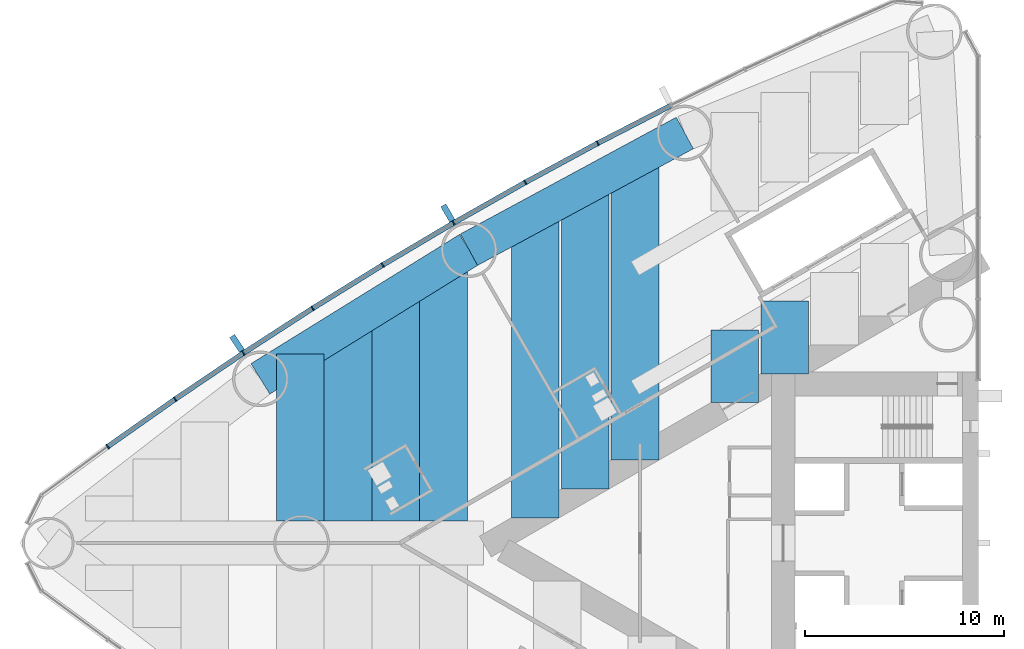
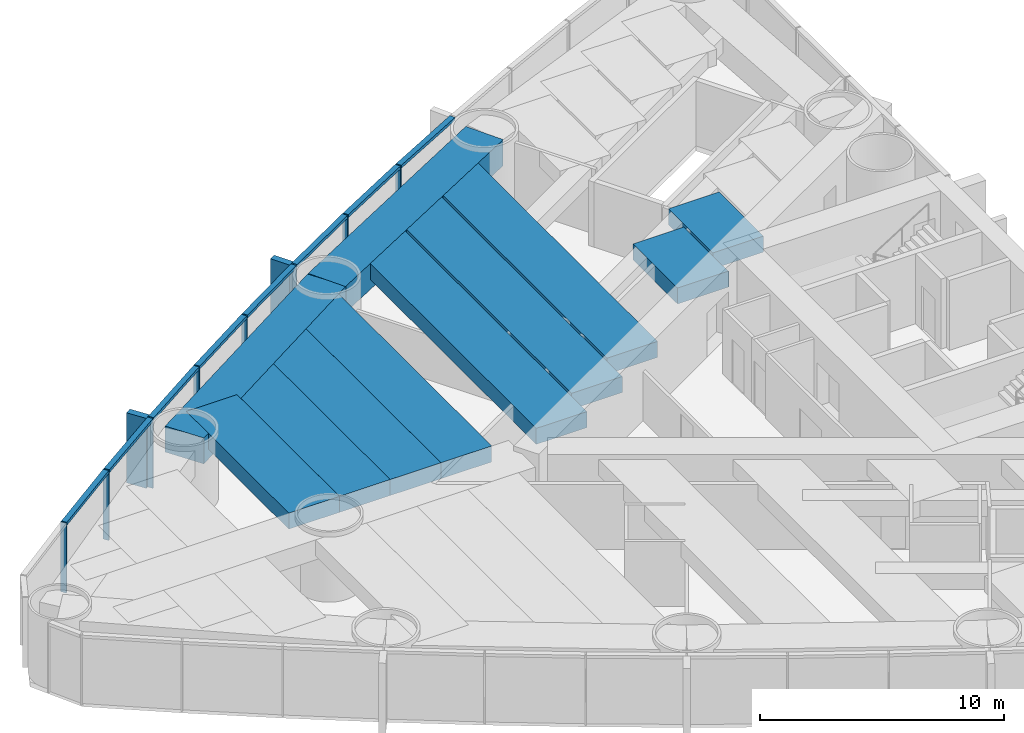
# One storey, part 4 of 18: 18 members, 11 beams, 1 element without a shape of its own.
"""IFC4 building model written with IfcOpenShell, lengths in metres."""

from ifc_helpers import new_model, si_unit, direction, frame, origin, origin_2d, place, context, subcontext, project, spatial, rectangle, extrude, material, material_profile, profile_set, type_object, element, aggregate, save


model = new_model("IFC4")

# Units and contexts
model_context = context("Model", 3, precision=1e-05, world=origin(), true_north=direction((0.0, 1.0)))
body_context = subcontext(model_context, "Body", "Model", "MODEL_VIEW")
ifc_project = project(units=[si_unit("LENGTHUNIT", "METRE"), si_unit("AREAUNIT", "SQUARE_METRE"), si_unit("VOLUMEUNIT", "CUBIC_METRE"), si_unit("PLANEANGLEUNIT", "RADIAN"), si_unit("MASSUNIT", "GRAM", prefix="KILO")], contexts=[model_context])

# Site, building, storey
site_placement = place(None, origin())
site = spatial("IfcSite", under=ifc_project, at=site_placement, CompositionType="ELEMENT")
building_placement = place(site_placement, origin())
building = spatial("IfcBuilding", under=site, at=building_placement, Name="Lancet Gate Hotel", CompositionType="ELEMENT")
storey_placement = place(building_placement, frame((0.0, 0.0, 56.5)))
storey = spatial("IfcBuildingStorey", under=building, at=storey_placement, Name="L14", CompositionType="ELEMENT", Elevation=56.5)

# Curtain wall, members
ifc_material_1 = material(Name="Aluminium curtain wall", Category="aluminium")
curtain_wall_type = type_object("IfcCurtainWallType", Name="Tower unitised curtain wall", PredefinedType="USERDEFINED", material=ifc_material_1)
curtain_wall_placement = place(storey_placement, origin())
curtain_wall = element("IfcCurtainWall", 1, at=curtain_wall_placement, inside=storey, type_object=curtain_wall_type, Name="T1 L14 curtain wall 2", ObjectType="UNITISED CURTAIN WALL", PredefinedType="USERDEFINED")
ifc_material_2 = material(Name="Aluminium mullion", Category="aluminium")
ifc_material_profile_1 = material_profile(ifc_material_2, rectangle(XDim=0.06494140625, YDim=0.25, at=origin_2d()), Name="MULLION 65x250")
ifc_profile_set_1 = profile_set([ifc_material_profile_1], Name="Aluminium mullion")
member_type_1 = type_object("IfcMemberType", Name="Aluminium mullion 65x250", PredefinedType="MULLION", material=ifc_profile_set_1)
member_1_placement = place(storey_placement, frame((-46.6220703125, 20.094970703125, 0.0), z_axis=(0.0, 0.0, 1.0), x_axis=(-0.884311132302, -0.466898084475, 0.0)))
member_1 = element("IfcMember", 2, at=member_1_placement, type_object=member_type_1, Name="T1 L14 curtain wall 2 mullion 6", PredefinedType="MULLION", context=body_context, shape_type="SweptSolid", body=[
    extrude(rectangle(XDim=0.06494140625, YDim=0.25, at=origin_2d()), origin(), (0.0, 0.0, 1.0), 3.5),
])
member_2_placement = place(storey_placement, frame((-50.26416015625, 18.1259765625, 0.0), z_axis=(0.0, 0.0, 1.0), x_axis=(-0.874991035403, -0.484139120464, 0.0)))
member_2 = element("IfcMember", 3, at=member_2_placement, type_object=member_type_1, Name="T1 L14 curtain wall 2 mullion 7", PredefinedType="MULLION", context=body_context, shape_type="SweptSolid", body=[
    extrude(rectangle(XDim=0.06494140625, YDim=0.25, at=origin_2d()), origin(), (0.0, 0.0, 1.0), 3.5),
])
member_3_placement = place(storey_placement, frame((-53.866943359375, 16.086181640625, 0.0), z_axis=(0.0, 0.0, 1.0), x_axis=(-0.86533483912, -0.501194190115, 0.0)))
member_3 = element("IfcMember", 4, at=member_3_placement, type_object=member_type_1, Name="T1 L14 curtain wall 2 mullion 8", PredefinedType="MULLION", context=body_context, shape_type="SweptSolid", body=[
    extrude(rectangle(XDim=0.06494140625, YDim=0.25, at=origin_2d()), origin(), (0.0, 0.0, 1.0), 3.5),
])
member_4_placement = place(storey_placement, frame((-57.42919921875, 13.97607421875, 0.0), z_axis=(0.0, 0.0, 1.0), x_axis=(-0.855346252548, -0.518056742309, 0.0)))
member_4 = element("IfcMember", 5, at=member_4_placement, type_object=member_type_1, Name="T1 L14 curtain wall 2 mullion 9", PredefinedType="MULLION", context=body_context, shape_type="SweptSolid", body=[
    extrude(rectangle(XDim=0.06494140625, YDim=0.25, at=origin_2d()), origin(), (0.0, 0.0, 1.0), 3.5),
])
member_5_placement = place(storey_placement, frame((-60.949462890625, 11.796630859375, 0.0), z_axis=(0.0, 0.0, 1.0), x_axis=(-0.845029112489, -0.534720299827, 0.0)))
member_5 = element("IfcMember", 6, at=member_5_placement, type_object=member_type_1, Name="T1 L14 curtain wall 2 mullion 10", PredefinedType="MULLION", context=body_context, shape_type="SweptSolid", body=[
    extrude(rectangle(XDim=0.06494140625, YDim=0.25, at=origin_2d()), origin(), (0.0, 0.0, 1.0), 3.5),
])
member_6_placement = place(storey_placement, frame((-64.42626953125, 9.548583984375, 0.0), z_axis=(0.0, 0.0, 1.0), x_axis=(-0.834387381945, -0.55117846189, 0.0)))
member_6 = element("IfcMember", 7, at=member_6_placement, type_object=member_type_1, Name="T1 L14 curtain wall 2 mullion 11", PredefinedType="MULLION", context=body_context, shape_type="SweptSolid", body=[
    extrude(rectangle(XDim=0.06494140625, YDim=0.25, at=origin_2d()), origin(), (0.0, 0.0, 1.0), 3.5),
])
member_7_placement = place(storey_placement, frame((-67.858154296875, 7.232666015625, 0.0), z_axis=(0.0, 0.0, 1.0), x_axis=(-0.823425148573, -0.56742490666, 0.0)))
member_7 = element("IfcMember", 8, at=member_7_placement, type_object=member_type_1, Name="T1 L14 curtain wall 2 mullion 12", PredefinedType="MULLION", context=body_context, shape_type="SweptSolid", body=[
    extrude(rectangle(XDim=0.06494140625, YDim=0.25, at=origin_2d()), origin(), (0.0, 0.0, 1.0), 3.5),
])
member_8_placement = place(storey_placement, frame((-71.244384765625, 4.85009765625, 0.0), z_axis=(0.0, 0.0, 1.0), x_axis=(-0.812146623168, -0.583453393578, 0.0)))
member_8 = element("IfcMember", 9, at=member_8_placement, type_object=member_type_1, Name="T1 L14 curtain wall 2 mullion 13", PredefinedType="MULLION", context=body_context, shape_type="SweptSolid", body=[
    extrude(rectangle(XDim=0.06494140625, YDim=0.25, at=origin_2d()), origin(), (0.0, 0.0, 1.0), 3.5),
])
ifc_material_3 = material(Name="Aluminium transom", Category="aluminium")
ifc_material_profile_2 = material_profile(ifc_material_3, rectangle(XDim=0.25, YDim=0.14990234375, at=origin_2d()), Name="TRANSOM 250x150")
ifc_profile_set_2 = profile_set([ifc_material_profile_2], Name="Aluminium transom")
member_type_2 = type_object("IfcMemberType", Name="Aluminium transom 250x150", PredefinedType="USERDEFINED", material=ifc_profile_set_2)
member_9_placement = place(storey_placement, frame((-42.970703125, 21.97705078125, 3.425048828125), z_axis=(-0.888859972399, -0.458178949175, 0.0), x_axis=(0.458178949175, -0.888859972399, 0.0)))
member_9 = element("IfcMember", 10, at=member_9_placement, type_object=member_type_2, Name="T1 L14 curtain wall 2 transom 5", ObjectType="TRANSOM", PredefinedType="USERDEFINED", context=body_context, shape_type="SweptSolid", body=[
    extrude(rectangle(XDim=0.25, YDim=0.14990234375, at=origin_2d()), origin(), (0.0, 0.0, 1.0), 4.0751953125),
])
member_10_placement = place(storey_placement, frame((-46.650634765625, 20.079345703125, 3.425048828125), z_axis=(-0.87971396408, -0.475503250675, 0.0), x_axis=(0.475503250675, -0.87971396408, 0.0)))
member_10 = element("IfcMember", 11, at=member_10_placement, type_object=member_type_2, Name="T1 L14 curtain wall 2 transom 6", ObjectType="TRANSOM", PredefinedType="USERDEFINED", context=body_context, shape_type="SweptSolid", body=[
    extrude(rectangle(XDim=0.25, YDim=0.14990234375, at=origin_2d()), origin(), (0.0, 0.0, 1.0), 4.0751953125),
])
member_11_placement = place(storey_placement, frame((-50.29248046875, 18.110107421875, 3.425048828125), z_axis=(-0.870197729943, -0.492702659625, 0.0), x_axis=(0.492702659625, -0.870197729943, 0.0)))
member_11 = element("IfcMember", 12, at=member_11_placement, type_object=member_type_2, Name="T1 L14 curtain wall 2 transom 7", ObjectType="TRANSOM", PredefinedType="USERDEFINED", context=body_context, shape_type="SweptSolid", body=[
    extrude(rectangle(XDim=0.25, YDim=0.14990234375, at=origin_2d()), origin(), (0.0, 0.0, 1.0), 4.0751953125),
])
member_12_placement = place(storey_placement, frame((-53.89501953125, 16.069580078125, 3.425048828125), z_axis=(-0.86039174806, -0.509633240547, 0.0), x_axis=(0.509633240547, -0.86039174806, 0.0)))
member_12 = element("IfcMember", 13, at=member_12_placement, type_object=member_type_2, Name="T1 L14 curtain wall 2 transom 8", ObjectType="TRANSOM", PredefinedType="USERDEFINED", context=body_context, shape_type="SweptSolid", body=[
    extrude(rectangle(XDim=0.25, YDim=0.14990234375, at=origin_2d()), origin(), (0.0, 0.0, 1.0), 4.0751953125),
])
member_13_placement = place(storey_placement, frame((-57.456787109375, 13.958984375, 3.425048828125), z_axis=(-0.850242165643, -0.526391736032, 0.0), x_axis=(0.526391736032, -0.850242165643, 0.0)))
member_13 = element("IfcMember", 14, at=member_13_placement, type_object=member_type_2, Name="T1 L14 curtain wall 2 transom 9", ObjectType="TRANSOM", PredefinedType="USERDEFINED", context=body_context, shape_type="SweptSolid", body=[
    extrude(rectangle(XDim=0.25, YDim=0.14990234375, at=origin_2d()), origin(), (0.0, 0.0, 1.0), 4.075439453125),
])
member_14_placement = place(storey_placement, frame((-60.976806640625, 11.779052734375, 3.425048828125), z_axis=(-0.839729242404, -0.543005340169, 0.0), x_axis=(0.543005340169, -0.839729242404, 0.0)))
member_14 = element("IfcMember", 15, at=member_14_placement, type_object=member_type_2, Name="T1 L14 curtain wall 2 transom 10", ObjectType="TRANSOM", PredefinedType="USERDEFINED", context=body_context, shape_type="SweptSolid", body=[
    extrude(rectangle(XDim=0.25, YDim=0.14990234375, at=origin_2d()), origin(), (0.0, 0.0, 1.0), 4.0751953125),
])
member_15_placement = place(storey_placement, frame((-64.453125, 9.5302734375, 3.425048828125), z_axis=(-0.828959086782, -0.559309245804, 0.0), x_axis=(0.559309245804, -0.828959086782, 0.0)))
member_15 = element("IfcMember", 16, at=member_15_placement, type_object=member_type_2, Name="T1 L14 curtain wall 2 transom 11", ObjectType="TRANSOM", PredefinedType="USERDEFINED", context=body_context, shape_type="SweptSolid", body=[
    extrude(rectangle(XDim=0.25, YDim=0.14990234375, at=origin_2d()), origin(), (0.0, 0.0, 1.0), 4.0751953125),
])
member_16_placement = place(storey_placement, frame((-67.884765625, 7.214111328125, 3.425048828125), z_axis=(-0.817833568345, -0.57545482402, 0.0), x_axis=(0.57545482402, -0.817833568345, 0.0)))
member_16 = element("IfcMember", 17, at=member_16_placement, type_object=member_type_2, Name="T1 L14 curtain wall 2 transom 12", ObjectType="TRANSOM", PredefinedType="USERDEFINED", context=body_context, shape_type="SweptSolid", body=[
    extrude(rectangle(XDim=0.25, YDim=0.14990234375, at=origin_2d()), origin(), (0.0, 0.0, 1.0), 4.075439453125),
])

# Beams
ifc_material_4 = material(Name="Concrete C50/60", Category="concrete")
ifc_material_profile_3 = material_profile(ifc_material_4, rectangle(XDim=1.800048828125, YDim=1.300048828125, at=origin_2d()), Name="RC 1800x1300")
ifc_profile_set_3 = profile_set([ifc_material_profile_3], Name="Concrete C50/60")
beam_type_1 = type_object("IfcBeamType", Name="Edge beam RC 1800x1300", PredefinedType="SPANDREL", material=ifc_profile_set_3)
for number, where, z_axis, x_axis, name in (
    (18, (-42.2451171875, 20.607421875, 2.60009765625), (-0.879692855603, -0.475542300749, 0.0), (0.475542300749, -0.879692855603, 0.0), "T1 edge beam EB1 L14"),
    (19, (-53.090087890625, 14.744873046875, 2.60009765625), (-0.850225894333, -0.526418016984, 0.0), (0.526418016984, -0.850225894333, 0.0), "T1 edge beam EB1 L14"),
):
    element("IfcBeam", number, at=place(storey_placement, frame(where, z_axis=z_axis, x_axis=x_axis)), inside=storey, type_object=beam_type_1, Name=name, PredefinedType="SPANDREL", context=body_context, shape_type="SweptSolid", body=[
        extrude(rectangle(XDim=1.800048828125, YDim=1.300048828125, at=origin_2d()), origin(), (0.0, 0.0, 1.0), 12.328125),
    ])

# Member
ifc_material_5 = material(Name="Precast concrete C50/60", Category="concrete")
ifc_material_profile_4 = material_profile(ifc_material_5, rectangle(XDim=0.300048828125, YDim=0.89990234375, at=origin_2d()), Name="FIN 300x900")
ifc_profile_set_4 = profile_set([ifc_material_profile_4], Name="Precast concrete C50/60")
member_type_3 = type_object("IfcMemberType", Name="Exposed concrete fin 300x900", PredefinedType="USERDEFINED", material=ifc_profile_set_4)
member_17_placement = place(storey_placement, frame((-54.1552734375, 16.583740234375, 0.0), z_axis=(0.0, 0.0, 1.0), x_axis=(-0.86533483912, -0.501194190115, 0.0)))
member_17 = element("IfcMember", 20, at=member_17_placement, type_object=member_type_3, Name="T1 L14 curtain wall 2 fin 8", ObjectType="FIN", PredefinedType="USERDEFINED", context=body_context, shape_type="SweptSolid", body=[
    extrude(rectangle(XDim=0.300048828125, YDim=0.89990234375, at=origin_2d()), origin(), (0.0, 0.0, 1.0), 3.5),
])

member_18_placement = place(storey_placement, frame((-64.7431640625, 10.0283203125, 0.0), z_axis=(0.0, 0.0, 1.0), x_axis=(-0.834387381945, -0.55117846189, 0.0)))
member_18 = element("IfcMember", 21, at=member_18_placement, type_object=member_type_3, Name="T1 L14 curtain wall 2 fin 11", ObjectType="FIN", PredefinedType="USERDEFINED", context=body_context, shape_type="SweptSolid", body=[
    extrude(rectangle(XDim=0.300048828125, YDim=0.89990234375, at=origin_2d()), origin(), (0.0, 0.0, 1.0), 3.5),
])

aggregate(curtain_wall, [member_1, member_2, member_3, member_17, member_4, member_5, member_6, member_18, member_7, member_8, member_9, member_10, member_11, member_12, member_13, member_14, member_15, member_16])

# Beams
ifc_material_6 = material(Name="Concrete C50/60", Category="concrete")
ifc_material_profile_5 = material_profile(ifc_material_6, rectangle(XDim=2.39990234375, YDim=0.800048828125, at=origin_2d()), Name="RC 2400x800")
ifc_profile_set_5 = profile_set([ifc_material_profile_5], Name="Concrete C50/60")
beam_type_2 = type_object("IfcBeamType", Name="Floor beam RC 2400x800", PredefinedType="BEAM", material=ifc_profile_set_5)
beam_1_placement = place(storey_placement, frame((-44.747802734375, 19.254638671875, 2.85009765625), z_axis=(0.0, -1.0, 0.0), x_axis=(1.0, 0.0, 0.0)))
element("IfcBeam", 22, at=beam_1_placement, inside=storey, type_object=beam_type_2, Name="T1 floor beam F09S L14", PredefinedType="BEAM", context=body_context, shape_type="SweptSolid", body=[
    extrude(rectangle(XDim=2.39990234375, YDim=0.800048828125, at=origin_2d()), origin(), (0.0, 0.0, 1.0), 15.0859375),
])
beam_2_placement = place(storey_placement, frame((-47.254638671875, 17.8994140625, 2.85009765625), z_axis=(0.0, -1.0, 0.0), x_axis=(1.0, 0.0, 0.0)))
element("IfcBeam", 23, at=beam_2_placement, inside=storey, type_object=beam_type_2, Name="T1 floor beam F10S L14", PredefinedType="BEAM", context=body_context, shape_type="SweptSolid", body=[
    extrude(rectangle(XDim=2.39990234375, YDim=0.800048828125, at=origin_2d()), origin(), (0.0, 0.0, 1.0), 15.177978515625),
])
beam_3_placement = place(storey_placement, frame((-49.761474609375, 16.54443359375, 2.85009765625), z_axis=(0.0, -1.0, 0.0), x_axis=(1.0, 0.0, 0.0)))
element("IfcBeam", 24, at=beam_3_placement, inside=storey, type_object=beam_type_2, Name="T1 floor beam F12S L14", PredefinedType="BEAM", context=body_context, shape_type="SweptSolid", body=[
    extrude(rectangle(XDim=2.39990234375, YDim=0.800048828125, at=origin_2d()), origin(), (0.0, 0.0, 1.0), 15.270263671875),
])
beam_4_placement = place(storey_placement, frame((-54.3681640625, 13.95361328125, 2.85009765625), z_axis=(0.0, -1.0, 0.0), x_axis=(1.0, 0.0, 0.0)))
element("IfcBeam", 25, at=beam_4_placement, inside=storey, type_object=beam_type_2, Name="T1 floor beam F13S L14", PredefinedType="BEAM", context=body_context, shape_type="SweptSolid", body=[
    extrude(rectangle(XDim=2.39990234375, YDim=0.800048828125, at=origin_2d()), origin(), (0.0, 0.0, 1.0), 12.853515625),
])
beam_5_placement = place(storey_placement, frame((-56.768310546875, 12.467529296875, 2.85009765625), z_axis=(0.0, -1.0, 0.0), x_axis=(1.0, 0.0, 0.0)))
element("IfcBeam", 26, at=beam_5_placement, inside=storey, type_object=beam_type_2, Name="T1 floor beam F15S L14", PredefinedType="BEAM", context=body_context, shape_type="SweptSolid", body=[
    extrude(rectangle(XDim=2.39990234375, YDim=0.800048828125, at=origin_2d()), origin(), (0.0, 0.0, 1.0), 11.367431640625),
])
beam_6_placement = place(storey_placement, frame((-59.168212890625, 10.981689453125, 2.85009765625), z_axis=(0.0, -1.0, 0.0), x_axis=(1.0, 0.0, 0.0)))
element("IfcBeam", 27, at=beam_6_placement, inside=storey, type_object=beam_type_2, Name="T1 floor beam F17S L14", PredefinedType="BEAM", context=body_context, shape_type="SweptSolid", body=[
    extrude(rectangle(XDim=2.39990234375, YDim=0.800048828125, at=origin_2d()), origin(), (0.0, 0.0, 1.0), 9.881591796875),
])
beam_7_placement = place(storey_placement, frame((-61.568359375, 9.495849609375, 2.85009765625), z_axis=(0.0, -1.0, 0.0), x_axis=(1.0, 0.0, 0.0)))
element("IfcBeam", 28, at=beam_7_placement, inside=storey, type_object=beam_type_2, Name="T1 floor beam F19S L14", PredefinedType="BEAM", context=body_context, shape_type="SweptSolid", body=[
    extrude(rectangle(XDim=2.39990234375, YDim=0.800048828125, at=origin_2d()), origin(), (0.0, 0.0, 1.0), 8.395751953125),
])
beam_8_placement = place(storey_placement, frame((-37.227294921875, 12.15625, 2.85009765625), z_axis=(0.0, -1.0, 0.0), x_axis=(1.0, 0.0, 0.0)))
element("IfcBeam", 29, at=beam_8_placement, inside=storey, type_object=beam_type_2, Name="T1 floor beam F05SB L14", PredefinedType="BEAM", context=body_context, shape_type="SweptSolid", body=[
    extrude(rectangle(XDim=2.39990234375, YDim=0.800048828125, at=origin_2d()), origin(), (0.0, 0.0, 1.0), 3.6455078125),
])
beam_9_placement = place(storey_placement, frame((-39.734130859375, 10.708740234375, 2.85009765625), z_axis=(0.0, -1.0, 0.0), x_axis=(1.0, 0.0, 0.0)))
element("IfcBeam", 30, at=beam_9_placement, inside=storey, type_object=beam_type_2, Name="T1 floor beam F07SB L14", PredefinedType="BEAM", context=body_context, shape_type="SweptSolid", body=[
    extrude(rectangle(XDim=2.39990234375, YDim=0.800048828125, at=origin_2d()), origin(), (0.0, 0.0, 1.0), 3.645263671875),
])

save(model, "model.ifc")
